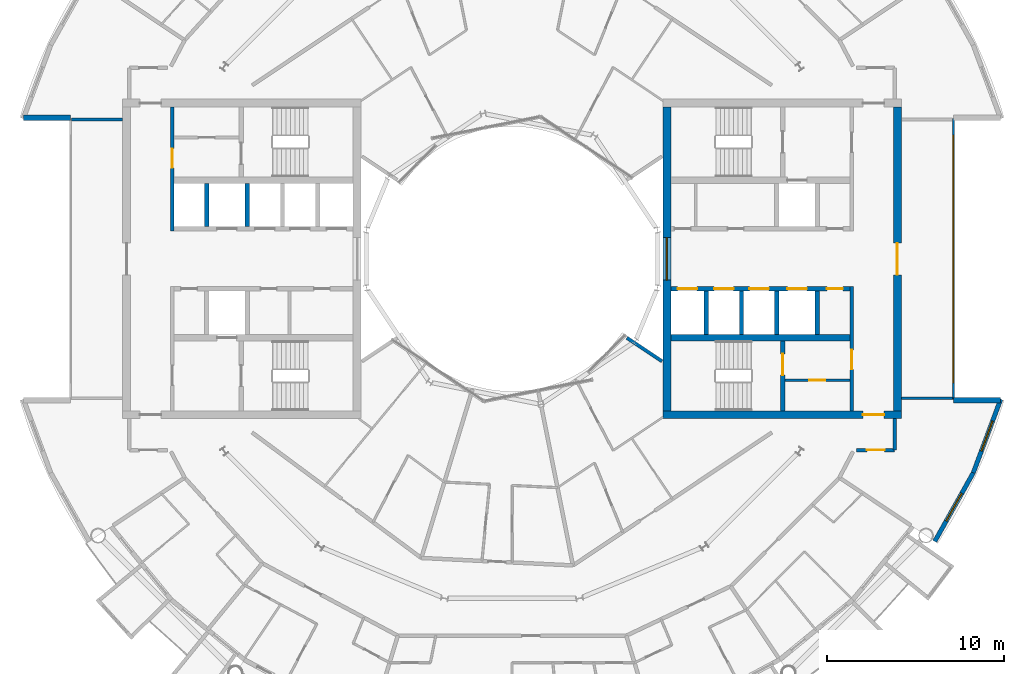
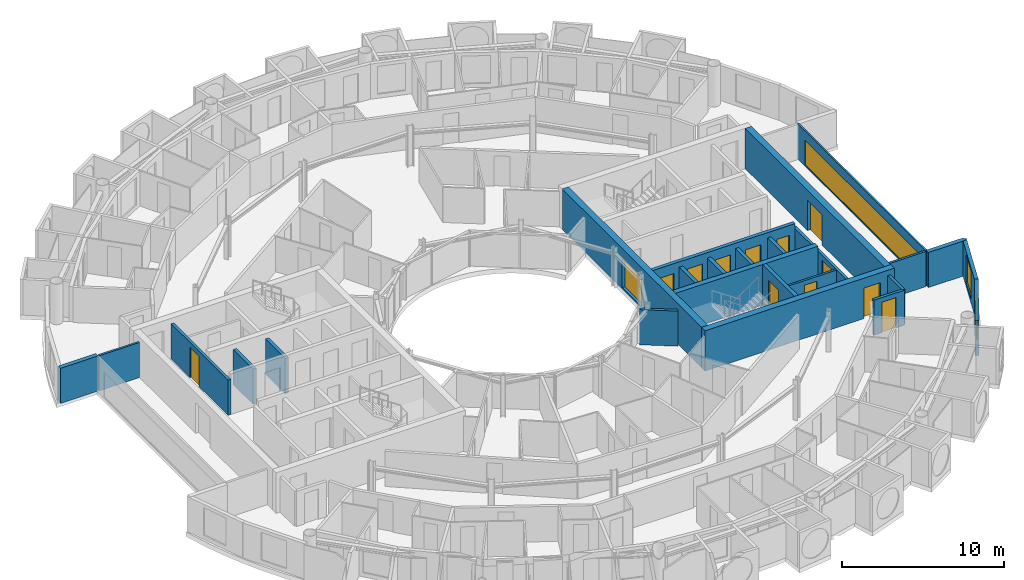
# One storey, part 19 of 28: 25 walls, 12 doors, 4 windows, 16 openings.
"""IFC4 building model written with IfcOpenShell, lengths in metres."""

import ifcopenshell
import ifcopenshell.guid

model = None  # the IFC model being written
_history = None  # IfcOwnerHistory: only IFC2X3 demands one
_inside = {}  # id of a spatial element -> (the spatial element, [elements in it])
_under = {}  # id of a project, library or spatial element -> (it, [spatial elements below it])
_declared = {}  # id of a project -> (the project, [libraries it declares])
_typed = {}  # id of a type object -> (the type object, [elements of that type])
_made_of = {}  # id of a material, layer set ... -> (it, [elements and type objects made of it])


def new_model(schema):
    """Start an empty IFC model of exactly this schema.

    Asked for "IFC4X3", IfcOpenShell would pick the latest addendum, in which some entities
    have other attributes; the version numbers below select the first issue.
    IFC2X3 requires an IfcOwnerHistory on every rooted entity: one is made here for all.
    """
    global model, _history
    if schema == "IFC4X3":
        model = ifcopenshell.file(schema_version=(4, 3, 0, 0))
    else:
        model = ifcopenshell.file(schema=schema)
    _inside.clear()
    _under.clear()
    _declared.clear()
    _typed.clear()
    _made_of.clear()
    _history = None
    if model.schema == "IFC2X3":
        org = make("IfcOrganization", Name="unknown")
        user = make(
            "IfcPersonAndOrganization",
            ThePerson=make("IfcPerson", FamilyName="unknown"),
            TheOrganization=org,
        )
        app = make(
            "IfcApplication",
            ApplicationDeveloper=org,
            Version="unknown",
            ApplicationFullName="unknown",
            ApplicationIdentifier="unknown",
        )
        _history = make(
            "IfcOwnerHistory",
            OwningUser=user,
            OwningApplication=app,
            ChangeAction="ADDED",
            CreationDate=0,
        )
    return model


def make(cls, **values):
    """One entity of the class cls with the attributes given. An attribute that is None is left unset."""
    return model.create_entity(
        cls, **{name: value for name, value in values.items() if value is not None}
    )


def rooted(cls, **values):
    """An entity with a GlobalId (a new one), such as an element, a storey or a relation."""
    return make(cls, GlobalId=ifcopenshell.guid.new(), OwnerHistory=_history, **values)


def si_unit(unit_type, name, prefix=None):
    """IfcSIUnit, for example si_unit("LENGTHUNIT", "METRE", prefix="MILLI")."""
    return make("IfcSIUnit", UnitType=unit_type, Prefix=prefix, Name=name)


def assignment(units):
    """IfcUnitAssignment: the units of a project."""
    return None if units is None else make("IfcUnitAssignment", Units=units)


def point(xyz):
    """IfcCartesianPoint."""
    return None if xyz is None else make("IfcCartesianPoint", Coordinates=xyz)


def direction(xyz):
    """IfcDirection."""
    return None if xyz is None else make("IfcDirection", DirectionRatios=xyz)


def frame(location, z_axis=None, x_axis=None):
    """IfcAxis2Placement3D, a coordinate frame: its origin and axes. An axis left out is left unset."""
    return make(
        "IfcAxis2Placement3D",
        Location=point(location),
        Axis=direction(z_axis),
        RefDirection=direction(x_axis),
    )


def frame_2d(location, x_axis=None):
    """IfcAxis2Placement2D, a coordinate frame in the plane: its origin and x axis."""
    return make(
        "IfcAxis2Placement2D", Location=point(location), RefDirection=direction(x_axis)
    )


def origin():
    """The frame at (0, 0, 0) with its axes left unset."""
    return frame((0.0, 0.0, 0.0))


def place(relative_to, where):
    """IfcLocalPlacement: puts the frame where relative to a parent placement (None: the world)."""
    return make(
        "IfcLocalPlacement", PlacementRelTo=relative_to, RelativePlacement=where
    )


def context(
    kind, dimensions, precision=None, world=None, true_north=None, identifier=None
):
    """IfcGeometricRepresentationContext, for example the 3D "Model" context."""
    return make(
        "IfcGeometricRepresentationContext",
        ContextIdentifier=identifier,
        ContextType=kind,
        CoordinateSpaceDimension=dimensions,
        Precision=precision,
        WorldCoordinateSystem=world,
        TrueNorth=true_north,
    )


def subcontext(parent, identifier, kind, view, scale=None):
    """IfcGeometricRepresentationSubContext, for example "Body" below "Model"."""
    return make(
        "IfcGeometricRepresentationSubContext",
        ContextIdentifier=identifier,
        ContextType=kind,
        ParentContext=parent,
        TargetScale=scale,
        TargetView=view,
    )


def project(units=None, contexts=None):
    """IfcProject with its units and contexts."""
    return rooted(
        "IfcProject",
        Name="project",
        RepresentationContexts=contexts,
        UnitsInContext=assignment(units),
    )


def spatial(cls, under=None, at=None, **own):
    """A site, building, storey or space (cls), placed at a placement, below another one or the project."""
    s = rooted(cls, ObjectPlacement=at, **own)
    if under is not None:
        _under.setdefault(under.id(), (under, []))[1].append(s)
    return s


def profile(cls, at=None, kind="AREA", **sizes):
    """A parametric profile (cls). Its sizes go by their IFC names, for example OverallWidth=200.0."""
    return make(cls, ProfileType=kind, Position=at, **sizes)


def rectangle(**sizes):
    """IfcRectangleProfileDef."""
    return profile("IfcRectangleProfileDef", **sizes)


def extrude(swept, where, along, depth):
    """IfcExtrudedAreaSolid: the profile swept, set in the frame where, extruded along a direction by depth."""
    return make(
        "IfcExtrudedAreaSolid",
        SweptArea=swept,
        Position=where,
        ExtrudedDirection=direction(along),
        Depth=depth,
    )


def shape(context_of_items, identifier, shape_type, items):
    """IfcShapeRepresentation: the items that make up one representation, for example the "Body"."""
    return make(
        "IfcShapeRepresentation",
        ContextOfItems=context_of_items,
        RepresentationIdentifier=identifier,
        RepresentationType=shape_type,
        Items=items,
    )


def material(Name=None, Category=None):
    """IfcMaterial."""
    return make("IfcMaterial", Name=Name, Category=Category)


def layer(
    of_material, thickness, ventilated=None, Name=None, Category=None, Priority=None
):
    """IfcMaterialLayer: one layer of a wall or slab, of a material (None: an air gap)."""
    return make(
        "IfcMaterialLayer",
        Material=of_material,
        LayerThickness=thickness,
        IsVentilated=ventilated,
        Name=Name,
        Category=Category,
        Priority=Priority,
    )


def layer_set(layers, Name=None):
    """IfcMaterialLayerSet."""
    return make("IfcMaterialLayerSet", MaterialLayers=layers, LayerSetName=Name)


def made_of(thing, what):
    """Note that an element or type object is made of a material, layer set ...; save() writes the relation."""
    if what is not None:
        _made_of.setdefault(what.id(), (what, []))[1].append(thing)
    return thing


def type_object(cls, material=None, **own):
    """A type object (cls), such as IfcWallType, which elements share."""
    return made_of(rooted(cls, **own), material)


def element(
    cls,
    number,
    at=None,
    inside=None,
    cuts=None,
    type_object=None,
    material=None,
    context=None,
    identifier="Body",
    shape_type=None,
    held_by="IfcProductDefinitionShape",
    body=None,
    shapes=None,
    **own,
):
    """One element of the class cls, such as IfcWall. Its Tag is "e" and its number.

    at: its placement. inside: the storey or other place that contains it. cuts: it is an
    opening in that element (IfcRelVoidsElement). A single representation is given by context,
    identifier, shape_type and body (its items); several are given by shapes. held_by: the class
    of the entity that holds the representations. save() writes the other relations.
    """
    e = rooted(cls, Tag="e%d" % number, ObjectPlacement=at, **own)
    if body is not None:
        shapes = [shape(context, identifier, shape_type, body)]
    if shapes is not None:
        e.Representation = make(held_by, Representations=shapes)
    if inside is not None:
        _inside.setdefault(inside.id(), (inside, []))[1].append(e)
    if cuts is not None:
        rooted(
            "IfcRelVoidsElement", RelatingBuildingElement=cuts, RelatedOpeningElement=e
        )
    if type_object is not None:
        _typed.setdefault(type_object.id(), (type_object, []))[1].append(e)
    return made_of(e, material)


def fill(opening, filler):
    """IfcRelFillsElement: the door or window that sits in an opening."""
    return rooted(
        "IfcRelFillsElement",
        RelatingOpeningElement=opening,
        RelatedBuildingElement=filler,
    )


def aggregate(whole, parts):
    """IfcRelAggregates: a whole, such as a stair, and the parts it consists of."""
    return rooted("IfcRelAggregates", RelatingObject=whole, RelatedObjects=parts)


def save(model, path):
    """Write the relations noted so far, then the file.

    IfcRelAggregates (storeys below a building ...), IfcRelContainedInSpatialStructure (elements
    in a storey), IfcRelDefinesByType, IfcRelAssociatesMaterial and IfcRelDeclares: one each for
    every whole, place, type object, material and project.
    """
    for whole, parts in _under.values():
        aggregate(whole, parts)
    for where, things in _inside.values():
        rooted(
            "IfcRelContainedInSpatialStructure",
            RelatedElements=things,
            RelatingStructure=where,
        )
    for kind, things in _typed.values():
        rooted("IfcRelDefinesByType", RelatedObjects=things, RelatingType=kind)
    for what, things in _made_of.values():
        rooted("IfcRelAssociatesMaterial", RelatedObjects=things, RelatingMaterial=what)
    for by, libraries in _declared.values():
        rooted("IfcRelDeclares", RelatingContext=by, RelatedDefinitions=libraries)
    model.write(path)


model = new_model("IFC4")

# Units and contexts
model_context = context("Model", 3, precision=1e-05, world=origin(), true_north=direction((0.0, 1.0)))
body_context = subcontext(model_context, "Body", "Model", "MODEL_VIEW")
ifc_project = project(units=[si_unit("LENGTHUNIT", "METRE"), si_unit("AREAUNIT", "SQUARE_METRE"), si_unit("VOLUMEUNIT", "CUBIC_METRE"), si_unit("PLANEANGLEUNIT", "RADIAN"), si_unit("MASSUNIT", "GRAM", prefix="KILO")], contexts=[model_context])

# Site, building, storey
site_placement = place(None, origin())
site = spatial("IfcSite", under=ifc_project, at=site_placement, CompositionType="ELEMENT")
building_placement = place(site_placement, origin())
building = spatial("IfcBuilding", under=site, at=building_placement, Name="Maasbend Ring Residences", CompositionType="ELEMENT")
storey_placement = place(building_placement, frame((0.0, 0.0, 218.800048828125)))
storey = spatial("IfcBuildingStorey", under=building, at=storey_placement, Name="L63", CompositionType="ELEMENT", Elevation=218.800048828125)

# Wall, openings, doors
ifc_material_1 = material(Name="Concrete C50/60", Category="concrete")
ifc_layer_1 = layer(ifc_material_1, 0.25)
ifc_layer_set_1 = layer_set([ifc_layer_1], Name="Concrete C50/60")
wall_type_1 = type_object("IfcWallType", Name="CORE WALL 250 C50/60", PredefinedType="SHEAR", material=ifc_layer_set_1)
wall_1_placement = place(storey_placement, frame((19.14990234375, -1.699951171875, 0.0), z_axis=(0.0, 0.0, 1.0), x_axis=(-1.0, 0.0, 0.0)))
wall_1 = element("IfcWall", 1, at=wall_1_placement, inside=storey, type_object=wall_type_1, Name="L63 core E wall SPS", PredefinedType="SHEAR", context=body_context, shape_type="SweptSolid", body=[
    extrude(rectangle(XDim=10.14990234375, YDim=0.25, at=frame_2d((5.074951171875, 0.0))), origin(), (0.0, 0.0, 1.0), 3.050048828125),
])
opening_1_placement = place(wall_1_placement, frame((8.66259765625, 0.0, 0.0)))
opening_1 = element("IfcOpeningElement", 2, at=opening_1_placement, cuts=wall_1, Name="Opening LD-E6302", PredefinedType="OPENING", context=body_context, shape_type="SweptSolid", body=[
    extrude(rectangle(XDim=1.10009765625, YDim=2.300048828125, at=frame_2d((0.550048828125, 1.14990234375))), frame((0.0, 0.135009765625, 0.0), z_axis=(0.0, -1.0, 0.0), x_axis=(1.0, 0.0, 0.0)), (0.0, 0.0, 1.0), 0.27001953125),
])
opening_2_placement = place(wall_1_placement, frame((6.60009765625, 0.0, 0.0)))
opening_2 = element("IfcOpeningElement", 3, at=opening_2_placement, cuts=wall_1, Name="Opening LD-E6303", PredefinedType="OPENING", context=body_context, shape_type="SweptSolid", body=[
    extrude(rectangle(XDim=1.10009765625, YDim=2.300048828125, at=frame_2d((0.550048828125, 1.14990234375))), frame((0.0, 0.135009765625, 0.0), z_axis=(0.0, -1.0, 0.0), x_axis=(1.0, 0.0, 0.0)), (0.0, 0.0, 1.0), 0.27001953125),
])
opening_3_placement = place(wall_1_placement, frame((4.60009765625, 0.0, 0.0)))
opening_3 = element("IfcOpeningElement", 4, at=opening_3_placement, cuts=wall_1, Name="Opening LD-E6304", PredefinedType="OPENING", context=body_context, shape_type="SweptSolid", body=[
    extrude(rectangle(XDim=1.10009765625, YDim=2.300048828125, at=frame_2d((0.550048828125, 1.14990234375))), frame((0.0, 0.135009765625, 0.0), z_axis=(0.0, -1.0, 0.0), x_axis=(1.0, 0.0, 0.0)), (0.0, 0.0, 1.0), 0.27001953125),
])
opening_4_placement = place(wall_1_placement, frame((2.449951171875, 0.0, 0.0)))
opening_4 = element("IfcOpeningElement", 5, at=opening_4_placement, cuts=wall_1, Name="Opening LD-E6305", PredefinedType="OPENING", context=body_context, shape_type="SweptSolid", body=[
    extrude(rectangle(XDim=1.10009765625, YDim=2.300048828125, at=frame_2d((0.550048828125, 1.14990234375))), frame((0.0, 0.135009765625, 0.0), z_axis=(0.0, -1.0, 0.0), x_axis=(1.0, 0.0, 0.0)), (0.0, 0.0, 1.0), 0.27001953125),
])
opening_5_placement = place(wall_1_placement, frame((0.41259765625, 0.0, 0.0)))
opening_5 = element("IfcOpeningElement", 6, at=opening_5_placement, cuts=wall_1, Name="Opening D-E6309", PredefinedType="OPENING", context=body_context, shape_type="SweptSolid", body=[
    extrude(rectangle(XDim=0.89990234375, YDim=2.300048828125, at=frame_2d((0.449951171875, 1.14990234375))), frame((0.0, 0.135009765625, 0.0), z_axis=(0.0, -1.0, 0.0), x_axis=(1.0, 0.0, 0.0)), (0.0, 0.0, 1.0), 0.27001953125),
])
ifc_material_2 = material(Name="Stainless steel 316", Category="steel")
door_type_1 = type_object("IfcDoorType", Name="LANDING DOOR 1100 X 2300 FD60", OperationType="DOUBLE_DOOR_SLIDING", PredefinedType="DOOR", material=ifc_material_2)
door_1_placement = place(opening_1_placement, origin())
door_1 = element("IfcDoor", 7, at=door_1_placement, inside=storey, type_object=door_type_1, Name="Landing door HR-E1 L63", OperationType="DOUBLE_DOOR_SLIDING", OverallHeight=2.300048828125, OverallWidth=1.10009765625, PredefinedType="DOOR", context=body_context, shape_type="SweptSolid", body=[
    extrude(rectangle(XDim=1.10009765625, YDim=2.300048828125, at=frame_2d((0.550048828125, 1.14990234375))), frame((0.0, 0.02490234375, 0.0), z_axis=(0.0, -1.0, 0.0), x_axis=(1.0, 0.0, 0.0)), (0.0, 0.0, 1.0), 0.050048828125),
])
fill(opening_1, door_1)
door_2_placement = place(opening_2_placement, origin())
door_2 = element("IfcDoor", 8, at=door_2_placement, inside=storey, type_object=door_type_1, Name="Landing door HR-E2 L63", OperationType="DOUBLE_DOOR_SLIDING", OverallHeight=2.300048828125, OverallWidth=1.10009765625, PredefinedType="DOOR", context=body_context, shape_type="SweptSolid", body=[
    extrude(rectangle(XDim=1.10009765625, YDim=2.300048828125, at=frame_2d((0.550048828125, 1.14990234375))), frame((0.0, 0.02490234375, 0.0), z_axis=(0.0, -1.0, 0.0), x_axis=(1.0, 0.0, 0.0)), (0.0, 0.0, 1.0), 0.050048828125),
])
fill(opening_2, door_2)
door_3_placement = place(opening_3_placement, origin())
door_3 = element("IfcDoor", 9, at=door_3_placement, inside=storey, type_object=door_type_1, Name="Landing door HR-E3 L63", OperationType="DOUBLE_DOOR_SLIDING", OverallHeight=2.300048828125, OverallWidth=1.10009765625, PredefinedType="DOOR", context=body_context, shape_type="SweptSolid", body=[
    extrude(rectangle(XDim=1.10009765625, YDim=2.300048828125, at=frame_2d((0.550048828125, 1.14990234375))), frame((0.0, 0.02490234375, 0.0), z_axis=(0.0, -1.0, 0.0), x_axis=(1.0, 0.0, 0.0)), (0.0, 0.0, 1.0), 0.050048828125),
])
fill(opening_3, door_3)
door_4_placement = place(opening_4_placement, origin())
door_4 = element("IfcDoor", 10, at=door_4_placement, inside=storey, type_object=door_type_1, Name="Landing door SV-E L63", OperationType="DOUBLE_DOOR_SLIDING", OverallHeight=2.300048828125, OverallWidth=1.10009765625, PredefinedType="DOOR", context=body_context, shape_type="SweptSolid", body=[
    extrude(rectangle(XDim=1.10009765625, YDim=2.300048828125, at=frame_2d((0.550048828125, 1.14990234375))), frame((0.0, 0.02490234375, 0.0), z_axis=(0.0, -1.0, 0.0), x_axis=(1.0, 0.0, 0.0)), (0.0, 0.0, 1.0), 0.050048828125),
])
fill(opening_4, door_4)
ifc_material_3 = material(Name="Steel, powder coated", Category="steel")
door_type_2 = type_object("IfcDoorType", Name="ROOM DOOR 900 X 2300 FD30S", OperationType="NOTDEFINED", PredefinedType="DOOR", material=ifc_material_3)
door_5_placement = place(opening_5_placement, origin())
door_5 = element("IfcDoor", 11, at=door_5_placement, inside=storey, type_object=door_type_2, Name="Room door L63", OperationType="SINGLE_SWING_RIGHT", OverallHeight=2.300048828125, OverallWidth=0.89990234375, PredefinedType="DOOR", context=body_context, shape_type="SweptSolid", body=[
    extrude(rectangle(XDim=0.89990234375, YDim=2.300048828125, at=frame_2d((0.449951171875, 1.14990234375))), frame((0.0, 0.02490234375, 0.0), z_axis=(0.0, -1.0, 0.0), x_axis=(1.0, 0.0, 0.0)), (0.0, 0.0, 1.0), 0.050048828125),
])
fill(opening_5, door_5)

# Wall, opening, door
wall_2_placement = place(storey_placement, frame((15.324951171875, -8.60009765625, 0.0), z_axis=(0.0, 0.0, 1.0), x_axis=(0.0, 1.0, 0.0)))
wall_2 = element("IfcWall", 12, at=wall_2_placement, inside=storey, type_object=wall_type_1, Name="L63 core E wall STES", PredefinedType="SHEAR", context=body_context, shape_type="SweptSolid", body=[
    extrude(rectangle(XDim=3.9501953125, YDim=0.25, at=frame_2d((1.97509765625, 0.0))), origin(), (0.0, 0.0, 1.0), 3.050048828125),
])
opening_6_placement = place(wall_2_placement, frame((2.02490234375, 0.0, 0.0)))
opening_6 = element("IfcOpeningElement", 13, at=opening_6_placement, cuts=wall_2, Name="Opening D-E6312", PredefinedType="OPENING", context=body_context, shape_type="SweptSolid", body=[
    extrude(rectangle(XDim=1.199951171875, YDim=2.300048828125, at=frame_2d((0.60009765625, 1.14990234375))), frame((0.0, 0.135009765625, 0.0), z_axis=(0.0, -1.0, 0.0), x_axis=(1.0, 0.0, 0.0)), (0.0, 0.0, 1.0), 0.27001953125),
])
ifc_material_4 = material(Name="Steel, powder coated", Category="steel")
door_type_3 = type_object("IfcDoorType", Name="STAIR DOOR 1200 X 2300 FD60", OperationType="NOTDEFINED", PredefinedType="DOOR", material=ifc_material_4)
door_6_placement = place(opening_6_placement, origin())
door_6 = element("IfcDoor", 14, at=door_6_placement, inside=storey, type_object=door_type_3, Name="Stair door ST-E L63", OperationType="SINGLE_SWING_LEFT", OverallHeight=2.300048828125, OverallWidth=1.199951171875, PredefinedType="DOOR", context=body_context, shape_type="SweptSolid", body=[
    extrude(rectangle(XDim=1.199951171875, YDim=2.300048828125, at=frame_2d((0.60009765625, 1.14990234375))), frame((0.0, 0.02490234375, 0.0), z_axis=(0.0, -1.0, 0.0), x_axis=(1.0, 0.0, 0.0)), (0.0, 0.0, 1.0), 0.050048828125),
])
fill(opening_6, door_6)

# Wall
ifc_material_5 = material(Name="Concrete C50/60", Category="concrete")
ifc_layer_2 = layer(ifc_material_5, 0.375)
ifc_layer_set_2 = layer_set([ifc_layer_2], Name="Concrete C50/60")
wall_type_2 = type_object("IfcWallType", Name="CORE WALL 375 C50/60", PredefinedType="SHEAR", material=ifc_layer_set_2)
wall_3_placement = place(storey_placement, frame((9.0, -4.46240234375, 0.0), z_axis=(0.0, 0.0, 1.0), x_axis=(1.0, 0.0, 0.0)))
element("IfcWall", 15, at=wall_3_placement, inside=storey, type_object=wall_type_2, Name="L63 core E wall BS", PredefinedType="SHEAR", context=body_context, shape_type="SweptSolid", body=[
    extrude(rectangle(XDim=10.14990234375, YDim=0.375, at=frame_2d((5.074951171875, 0.0))), origin(), (0.0, 0.0, 1.0), 3.050048828125),
])

# Wall, opening, door
ifc_material_6 = material(Name="Concrete C50/60", Category="concrete")
ifc_layer_3 = layer(ifc_material_6, 0.449951171875)
ifc_layer_set_3 = layer_set([ifc_layer_3], Name="Concrete C50/60")
wall_type_3 = type_object("IfcWallType", Name="CORE WALL 450 C50/60", PredefinedType="SHEAR", material=ifc_layer_set_3)
wall_4_placement = place(storey_placement, frame((8.550048828125, -8.824951171875, 0.0), z_axis=(0.0, 0.0, 1.0), x_axis=(1.0, 0.0, 0.0)))
wall_4 = element("IfcWall", 16, at=wall_4_placement, inside=storey, type_object=wall_type_3, Name="L63 core E wall PS", PredefinedType="SHEAR", context=body_context, shape_type="SweptSolid", body=[
    extrude(rectangle(XDim=13.5, YDim=0.449951171875, at=frame_2d((6.75, 0.0))), origin(), (0.0, 0.0, 1.0), 3.050048828125),
])
opening_7_placement = place(wall_4_placement, frame((11.324951171875, 0.0, 0.0)))
opening_7 = element("IfcOpeningElement", 17, at=opening_7_placement, cuts=wall_4, Name="Opening D-E6316", PredefinedType="OPENING", context=body_context, shape_type="SweptSolid", body=[
    extrude(rectangle(XDim=1.199951171875, YDim=2.300048828125, at=frame_2d((0.60009765625, 1.14990234375))), frame((0.0, 0.23486328125, 0.0), z_axis=(0.0, -1.0, 0.0), x_axis=(1.0, 0.0, 0.0)), (0.0, 0.0, 1.0), 0.469970703125),
])
ifc_material_7 = material(Name="Steel, powder coated", Category="steel")
door_type_4 = type_object("IfcDoorType", Name="CORRIDOR DOOR 1200 X 2300 FD30S", OperationType="NOTDEFINED", PredefinedType="DOOR", material=ifc_material_7)
door_7_placement = place(opening_7_placement, origin())
door_7 = element("IfcDoor", 18, at=door_7_placement, inside=storey, type_object=door_type_4, Name="Corridor door L63", OperationType="SINGLE_SWING_LEFT", OverallHeight=2.300048828125, OverallWidth=1.199951171875, PredefinedType="DOOR", context=body_context, shape_type="SweptSolid", body=[
    extrude(rectangle(XDim=1.199951171875, YDim=2.300048828125, at=frame_2d((0.60009765625, 1.14990234375))), frame((0.0, 0.02490234375, 0.0), z_axis=(0.0, -1.0, 0.0), x_axis=(1.0, 0.0, 0.0)), (0.0, 0.0, 1.0), 0.050048828125),
])
fill(opening_7, door_7)

wall_5_placement = place(storey_placement, frame((21.824951171875, 8.60009765625, 0.0), z_axis=(0.0, 0.0, 1.0), x_axis=(0.0, -1.0, 0.0)))
wall_5 = element("IfcWall", 19, at=wall_5_placement, inside=storey, type_object=wall_type_3, Name="L63 core E wall POUT", PredefinedType="SHEAR", context=body_context, shape_type="SweptSolid", body=[
    extrude(rectangle(XDim=17.2001953125, YDim=0.449951171875, at=frame_2d((8.60009765625, 0.0))), origin(), (0.0, 0.0, 1.0), 3.050048828125),
])
opening_8_placement = place(wall_5_placement, frame((7.699951171875, 0.0, 0.0)))
opening_8 = element("IfcOpeningElement", 20, at=opening_8_placement, cuts=wall_5, Name="Opening D-E6317", PredefinedType="OPENING", context=body_context, shape_type="SweptSolid", body=[
    extrude(rectangle(XDim=1.800048828125, YDim=2.300048828125, at=frame_2d((0.89990234375, 1.14990234375))), frame((0.0, 0.23486328125, 0.0), z_axis=(0.0, -1.0, 0.0), x_axis=(1.0, 0.0, 0.0)), (0.0, 0.0, 1.0), 0.469970703125),
])
ifc_material_8 = material(Name="Aluminium frame, clear glass", Category="aluminium")
door_type_5 = type_object("IfcDoorType", Name="ENTRANCE DOOR 1800 X 2300 FD60", OperationType="NOTDEFINED", PredefinedType="DOOR", material=ifc_material_8)
door_8_placement = place(opening_8_placement, origin())
door_8 = element("IfcDoor", 21, at=door_8_placement, inside=storey, type_object=door_type_5, Name="Lobby glazed door L63", OperationType="SINGLE_SWING_LEFT", OverallHeight=2.300048828125, OverallWidth=1.800048828125, PredefinedType="DOOR", context=body_context, shape_type="SweptSolid", body=[
    extrude(rectangle(XDim=1.800048828125, YDim=2.300048828125, at=frame_2d((0.89990234375, 1.14990234375))), frame((0.0, 0.02490234375, 0.0), z_axis=(0.0, -1.0, 0.0), x_axis=(1.0, 0.0, 0.0)), (0.0, 0.0, 1.0), 0.050048828125),
])
fill(opening_8, door_8)

# Wall, opening, window
wall_6_placement = place(storey_placement, frame((8.77490234375, -8.60009765625, 0.0), z_axis=(0.0, 0.0, 1.0), x_axis=(0.0, 1.0, 0.0)))
wall_6 = element("IfcWall", 22, at=wall_6_placement, inside=storey, type_object=wall_type_3, Name="L63 core E wall PIN", PredefinedType="SHEAR", context=body_context, shape_type="SweptSolid", body=[
    extrude(rectangle(XDim=17.2001953125, YDim=0.449951171875, at=frame_2d((8.60009765625, 0.0))), origin(), (0.0, 0.0, 1.0), 3.050048828125),
])
opening_9_placement = place(wall_6_placement, frame((7.39990234375, 0.0, 0.10009765625)))
opening_9 = element("IfcOpeningElement", 23, at=opening_9_placement, cuts=wall_6, Name="Opening W-E6301", PredefinedType="OPENING", context=body_context, shape_type="SweptSolid", body=[
    extrude(rectangle(XDim=2.39990234375, YDim=2.199951171875, at=frame_2d((1.199951171875, 1.10009765625))), frame((0.0, 0.23486328125, 0.0), z_axis=(0.0, -1.0, 0.0), x_axis=(1.0, 0.0, 0.0)), (0.0, 0.0, 1.0), 0.469970703125),
])
ifc_material_9 = material(Name="Aluminium frame and clear glass", Category="aluminium")
window_type_1 = type_object("IfcWindowType", Name="FIXED WINDOW 2400 X 2200", PartitioningType="SINGLE_PANEL", PredefinedType="WINDOW", material=ifc_material_9)
window_1_placement = place(opening_9_placement, origin())
window_1 = element("IfcWindow", 24, at=window_1_placement, inside=storey, type_object=window_type_1, Name="Lobby window L63", OverallHeight=2.199951171875, OverallWidth=2.39990234375, PartitioningType="SINGLE_PANEL", PredefinedType="WINDOW", context=body_context, shape_type="SweptSolid", body=[
    extrude(rectangle(XDim=2.39990234375, YDim=2.199951171875, at=frame_2d((1.199951171875, 1.10009765625))), frame((0.0, 0.030029296875, 0.0), z_axis=(0.0, -1.0, 0.0), x_axis=(1.0, 0.0, 0.0)), (0.0, 0.0, 1.0), 0.06005859375),
])
fill(opening_9, window_1)

# Wall
ifc_material_10 = material(Name="Concrete C30/37", Category="concrete")
ifc_layer_4 = layer(ifc_material_10, 0.199951171875)
ifc_layer_set_4 = layer_set([ifc_layer_4], Name="Concrete C30/37")
wall_type_4 = type_object("IfcWallType", Name="CORRIDOR WALL 200 CONCRETE", PredefinedType="PARTITIONING", material=ifc_layer_set_4)
wall_7_placement = place(storey_placement, frame((21.675048828125, -10.824951171875, 0.0), z_axis=(0.0, 0.0, 1.0), x_axis=(0.0, 1.0, 0.0)))
element("IfcWall", 25, at=wall_7_placement, inside=storey, type_object=wall_type_4, Name="U-L63-w017", PredefinedType="PARTITIONING", context=body_context, shape_type="SweptSolid", body=[
    extrude(rectangle(XDim=1.77490234375, YDim=0.199951171875, at=frame_2d((0.887451171875, 0.0))), origin(), (0.0, 0.0, 1.0), 2.64990234375),
])

# Wall, opening, door
wall_8_placement = place(storey_placement, frame((19.52294921875, -10.824951171875, 0.0), z_axis=(0.0, 0.0, 1.0), x_axis=(1.0, 0.0, 0.0)))
wall_8 = element("IfcWall", 26, at=wall_8_placement, inside=storey, type_object=wall_type_4, Name="U-L63-w030", PredefinedType="PARTITIONING", context=body_context, shape_type="SweptSolid", body=[
    extrude(rectangle(XDim=2.152099609375, YDim=0.199951171875, at=frame_2d((1.076171875, 0.0))), origin(), (0.0, 0.0, 1.0), 2.64990234375),
])
opening_10_placement = place(wall_8_placement, frame((0.575927734375, 0.0, 0.0)))
opening_10 = element("IfcOpeningElement", 27, at=opening_10_placement, cuts=wall_8, Name="Opening D-6360", PredefinedType="OPENING", context=body_context, shape_type="SweptSolid", body=[
    extrude(rectangle(XDim=1.0, YDim=2.300048828125, at=frame_2d((0.5, 1.14990234375))), frame((0.0, 0.10986328125, 0.0), z_axis=(0.0, -1.0, 0.0), x_axis=(1.0, 0.0, 0.0)), (0.0, 0.0, 1.0), 0.219970703125),
])
ifc_material_11 = material(Name="Timber, painted", Category="wood")
door_type_6 = type_object("IfcDoorType", Name="ROOM DOOR 1000 X 2300", OperationType="NOTDEFINED", PredefinedType="DOOR", material=ifc_material_11)
door_9_placement = place(opening_10_placement, origin())
door_9 = element("IfcDoor", 28, at=door_9_placement, inside=storey, type_object=door_type_6, Name="D-6360", OperationType="SINGLE_SWING_LEFT", OverallHeight=2.300048828125, OverallWidth=1.0, PredefinedType="DOOR", context=body_context, shape_type="SweptSolid", body=[
    extrude(rectangle(XDim=1.0, YDim=2.300048828125, at=frame_2d((0.5, 1.14990234375))), frame((0.0, 0.02490234375, 0.0), z_axis=(0.0, -1.0, 0.0), x_axis=(1.0, 0.0, 0.0)), (0.0, 0.0, 1.0), 0.050048828125),
])
fill(opening_10, door_9)

# Wall, opening, window
ifc_material_12 = material(Name="Aluminium clad insulated panel", Category="aluminium")
ifc_layer_5 = layer(ifc_material_12, 0.25)
ifc_layer_set_5 = layer_set([ifc_layer_5], Name="EW-HORN")
wall_type_5 = type_object("IfcWallType", Name="EW-HORN", PredefinedType="SOLIDWALL", material=ifc_layer_set_5)
wall_9_placement = place(storey_placement, frame((23.946044921875, -16.0, 0.0), z_axis=(0.0, 0.0, 1.0), x_axis=(0.489696356642, 0.871893042919, 0.0)))
wall_9 = element("IfcWall", 29, at=wall_9_placement, inside=storey, type_object=wall_type_5, Name="Horn wall 2.1", PredefinedType="SOLIDWALL", context=body_context, shape_type="SweptSolid", body=[
    extrude(rectangle(XDim=4.45361328125, YDim=0.25, at=frame_2d((2.226806640625, 0.0))), origin(), (0.0, 0.0, 1.0), 2.64990234375),
])
opening_11_placement = place(wall_9_placement, frame((1.32666015625, 0.0, 0.300048828125)))
opening_11 = element("IfcOpeningElement", 30, at=opening_11_placement, cuts=wall_9, Name="Opening W-BX", PredefinedType="OPENING", context=body_context, shape_type="SweptSolid", body=[
    extrude(rectangle(XDim=1.800048828125, YDim=2.10009765625, at=frame_2d((0.89990234375, 1.050048828125))), frame((0.0, 0.135009765625, 0.0), z_axis=(0.0, -1.0, 0.0), x_axis=(1.0, 0.0, 0.0)), (0.0, 0.0, 1.0), 0.27001953125),
])
ifc_material_13 = material(Name="Aluminium and clear glass", Category="aluminium")
window_type_2 = type_object("IfcWindowType", Name="W-BX", PartitioningType="DOUBLE_PANEL_VERTICAL", PredefinedType="WINDOW", material=ifc_material_13)
window_2_placement = place(opening_11_placement, origin())
window_2 = element("IfcWindow", 31, at=window_2_placement, inside=storey, type_object=window_type_2, Name="Horn window 2.1", OverallHeight=2.10009765625, OverallWidth=1.800048828125, PartitioningType="SINGLE_PANEL", PredefinedType="WINDOW", context=body_context, shape_type="SweptSolid", body=[
    extrude(rectangle(XDim=1.800048828125, YDim=2.10009765625, at=frame_2d((0.89990234375, 1.050048828125))), frame((0.0, 0.030029296875, 0.0), z_axis=(0.0, -1.0, 0.0), x_axis=(1.0, 0.0, 0.0)), (0.0, 0.0, 1.0), 0.06005859375),
])
fill(opening_11, window_2)

wall_10_placement = place(storey_placement, frame((26.126953125, -12.116943359375, 0.0), z_axis=(0.0, 0.0, 1.0), x_axis=(0.349247811493, 0.937030397675, 0.0)))
wall_10 = element("IfcWall", 32, at=wall_10_placement, inside=storey, type_object=wall_type_5, Name="Horn wall 2.2", PredefinedType="SOLIDWALL", context=body_context, shape_type="SweptSolid", body=[
    extrude(rectangle(XDim=4.4521484375, YDim=0.25, at=frame_2d((2.22607421875, 0.0))), origin(), (0.0, 0.0, 1.0), 2.64990234375),
])
opening_12_placement = place(wall_10_placement, frame((1.32666015625, 0.0, 0.300048828125)))
opening_12 = element("IfcOpeningElement", 33, at=opening_12_placement, cuts=wall_10, Name="Opening W-BX", PredefinedType="OPENING", context=body_context, shape_type="SweptSolid", body=[
    extrude(rectangle(XDim=1.800048828125, YDim=2.10009765625, at=frame_2d((0.89990234375, 1.050048828125))), frame((0.0, 0.135009765625, 0.0), z_axis=(0.0, -1.0, 0.0), x_axis=(1.0, 0.0, 0.0)), (0.0, 0.0, 1.0), 0.27001953125),
])
window_3_placement = place(opening_12_placement, origin())
window_3 = element("IfcWindow", 34, at=window_3_placement, inside=storey, type_object=window_type_2, Name="Horn window 2.2", OverallHeight=2.10009765625, OverallWidth=1.800048828125, PartitioningType="SINGLE_PANEL", PredefinedType="WINDOW", context=body_context, shape_type="SweptSolid", body=[
    extrude(rectangle(XDim=1.800048828125, YDim=2.10009765625, at=frame_2d((0.89990234375, 1.050048828125))), frame((0.0, 0.030029296875, 0.0), z_axis=(0.0, -1.0, 0.0), x_axis=(1.0, 0.0, 0.0)), (0.0, 0.0, 1.0), 0.06005859375),
])
fill(opening_12, window_3)

# Walls
ifc_material_14 = material(Name="Aluminium clad insulated panel", Category="aluminium")
ifc_layer_6 = layer(ifc_material_14, 0.300048828125)
ifc_layer_set_6 = layer_set([ifc_layer_6], Name="EW-RET")
wall_type_6 = type_object("IfcWallType", Name="EW-RET", PredefinedType="SOLIDWALL", material=ifc_layer_set_6)
for number, where, z_axis, x_axis, name in (
    (35, (25.0, -8.0, 0.0), (0.0, 0.0, 1.0), (1.0, 0.0, 0.0), "Notch return wall east south"),
    (36, (-25.0, 8.0, 0.0), (0.0, 0.0, 1.0), (-1.0, 0.0, 0.0), "Notch return wall west north"),
):
    element("IfcWall", number, at=place(storey_placement, frame(where, z_axis=z_axis, x_axis=x_axis)), inside=storey, type_object=wall_type_6, Name=name, PredefinedType="SOLIDWALL", context=body_context, shape_type="SweptSolid", body=[
        extrude(rectangle(XDim=2.6669921875, YDim=0.300048828125, at=frame_2d((1.33349609375, 0.0))), origin(), (0.0, 0.0, 1.0), 2.64990234375),
    ])

# Wall, opening, window
ifc_material_15 = material(Name="Aluminium frame and clear glass", Category="aluminium")
ifc_layer_7 = layer(ifc_material_15, 0.1201171875)
ifc_layer_set_7 = layer_set([ifc_layer_7], Name="GLAZED SCREEN WALL 120 EI 60")
wall_type_7 = type_object("IfcWallType", Name="GLAZED SCREEN WALL 120 EI 60", PredefinedType="PARTITIONING", material=ifc_layer_set_7)
wall_11_placement = place(storey_placement, frame((25.0, -7.949951171875, 0.0), z_axis=(0.0, 0.0, 1.0), x_axis=(0.0, 1.0, 0.0)))
wall_11 = element("IfcWall", 37, at=wall_11_placement, inside=storey, type_object=wall_type_7, Name="L63 core E wall FACE", PredefinedType="PARTITIONING", context=body_context, shape_type="SweptSolid", body=[
    extrude(rectangle(XDim=15.89990234375, YDim=0.1201171875, at=frame_2d((7.949951171875, 0.0))), origin(), (0.0, 0.0, 1.0), 2.64990234375),
])
opening_13_placement = place(wall_11_placement, frame((0.949951171875, 0.0, 0.10009765625)))
opening_13 = element("IfcOpeningElement", 38, at=opening_13_placement, cuts=wall_11, Name="Opening W-E6302", PredefinedType="OPENING", context=body_context, shape_type="SweptSolid", body=[
    extrude(rectangle(XDim=14.0, YDim=1.85009765625, at=frame_2d((7.0, 0.925048828125))), frame((0.0, 0.070068359375, 0.0), z_axis=(0.0, -1.0, 0.0), x_axis=(1.0, 0.0, 0.0)), (0.0, 0.0, 1.0), 0.14013671875),
])
ifc_material_16 = material(Name="Aluminium frame and clear glass", Category="aluminium")
window_type_3 = type_object("IfcWindowType", Name="FIXED WINDOW 14000 X 1850", PartitioningType="SINGLE_PANEL", PredefinedType="WINDOW", material=ifc_material_16)
window_4_placement = place(opening_13_placement, origin())
window_4 = element("IfcWindow", 39, at=window_4_placement, inside=storey, type_object=window_type_3, Name="Lobby window L63", OverallHeight=1.85009765625, OverallWidth=14.0, PartitioningType="SINGLE_PANEL", PredefinedType="WINDOW", context=body_context, shape_type="SweptSolid", body=[
    extrude(rectangle(XDim=14.0, YDim=1.85009765625, at=frame_2d((7.0, 0.925048828125))), frame((0.0, 0.030029296875, 0.0), z_axis=(0.0, -1.0, 0.0), x_axis=(1.0, 0.0, 0.0)), (0.0, 0.0, 1.0), 0.06005859375),
])
fill(opening_13, window_4)

# Wall, opening, door
ifc_material_17 = material(Name="Gypsum board on steel studs", Category="steel")
ifc_layer_8 = layer(ifc_material_17, 0.14990234375)
ifc_layer_set_8 = layer_set([ifc_layer_8], Name="PARTITION 150 EI 60")
wall_type_8 = type_object("IfcWallType", Name="PARTITION 150 EI 60", PredefinedType="PARTITIONING", material=ifc_layer_set_8)
wall_12_placement = place(storey_placement, frame((15.449951171875, -6.875, 0.0), z_axis=(0.0, 0.0, 1.0), x_axis=(1.0, 0.0, 0.0)))
wall_12 = element("IfcWall", 40, at=wall_12_placement, inside=storey, type_object=wall_type_8, Name="L63 core E wall RHS", PredefinedType="PARTITIONING", context=body_context, shape_type="SweptSolid", body=[
    extrude(rectangle(XDim=3.699951171875, YDim=0.14990234375, at=frame_2d((1.85009765625, 0.0))), origin(), (0.0, 0.0, 1.0), 2.64990234375),
])
opening_14_placement = place(wall_12_placement, frame((1.39990234375, 0.0, 0.0)))
opening_14 = element("IfcOpeningElement", 41, at=opening_14_placement, cuts=wall_12, Name="Opening D-E6310", PredefinedType="OPENING", context=body_context, shape_type="SweptSolid", body=[
    extrude(rectangle(XDim=0.89990234375, YDim=2.300048828125, at=frame_2d((0.449951171875, 1.14990234375))), frame((0.0, 0.0849609375, 0.0), z_axis=(0.0, -1.0, 0.0), x_axis=(1.0, 0.0, 0.0)), (0.0, 0.0, 1.0), 0.169921875),
])
ifc_material_18 = material(Name="Steel, powder coated", Category="steel")
door_type_7 = type_object("IfcDoorType", Name="RISER DOOR 900 X 2300 FD60", OperationType="NOTDEFINED", PredefinedType="DOOR", material=ifc_material_18)
door_10_placement = place(opening_14_placement, origin())
door_10 = element("IfcDoor", 42, at=door_10_placement, inside=storey, type_object=door_type_7, Name="Riser door L63", OperationType="SINGLE_SWING_LEFT", OverallHeight=2.300048828125, OverallWidth=0.89990234375, PredefinedType="DOOR", context=body_context, shape_type="SweptSolid", body=[
    extrude(rectangle(XDim=0.89990234375, YDim=2.300048828125, at=frame_2d((0.449951171875, 1.14990234375))), frame((0.0, 0.02490234375, 0.0), z_axis=(0.0, -1.0, 0.0), x_axis=(1.0, 0.0, 0.0)), (0.0, 0.0, 1.0), 0.050048828125),
])
fill(opening_14, door_10)

# Walls
for number, where, z_axis, x_axis, name in (
    (43, (22.050048828125, -7.89990234375, 0.0), (0.0, 0.0, 1.0), (1.0, 0.0, 0.0), "L63 core E wall CITS"),
    (44, (-22.050048828125, 7.89990234375, 0.0), (0.0, 0.0, 1.0), (-1.0, 0.0, 0.0), "L63 core W wall CITS"),
):
    element("IfcWall", number, at=place(storey_placement, frame(where, z_axis=z_axis, x_axis=x_axis)), inside=storey, type_object=wall_type_8, Name=name, PredefinedType="PARTITIONING", context=body_context, shape_type="SweptSolid", body=[
        extrude(rectangle(XDim=2.889892578125, YDim=0.14990234375, at=frame_2d((1.44482421875, 0.0))), origin(), (0.0, 0.0, 1.0), 2.64990234375),
    ])
ifc_material_19 = material(Name="Concrete C30/37", Category="concrete")
ifc_layer_9 = layer(ifc_material_19, 0.199951171875)
ifc_layer_set_9 = layer_set([ifc_layer_9], Name="Concrete C30/37")
wall_type_9 = type_object("IfcWallType", Name="PARTY WALL 200 CONCRETE", PredefinedType="PARTITIONING", material=ifc_layer_set_9)
wall_13_placement = place(storey_placement, frame((6.512939453125, -4.471923828125, 0.0), z_axis=(0.0, 0.0, 1.0), x_axis=(0.831403409976, -0.555669299026, 0.0)))
element("IfcWall", 45, at=wall_13_placement, inside=storey, type_object=wall_type_9, Name="U-L63-w032", PredefinedType="PARTITIONING", context=body_context, shape_type="SweptSolid", body=[
    extrude(rectangle(XDim=2.382568359375, YDim=0.199951171875, at=frame_2d((1.19140625, 0.0))), origin(), (0.0, 0.0, 1.0), 2.64990234375),
])

# Wall, opening, door
ifc_material_20 = material(Name="Concrete C30/37", Category="concrete")
ifc_layer_10 = layer(ifc_material_20, 0.199951171875)
ifc_layer_set_10 = layer_set([ifc_layer_10], Name="Concrete C30/37")
wall_type_10 = type_object("IfcWallType", Name="SHAFT WALL 200 EI 120", PredefinedType="SOLIDWALL", material=ifc_layer_set_10)
wall_14_placement = place(storey_placement, frame((19.25, -8.60009765625, 0.0), z_axis=(0.0, 0.0, 1.0), x_axis=(0.0, 1.0, 0.0)))
wall_14 = element("IfcWall", 46, at=wall_14_placement, inside=storey, type_object=wall_type_10, Name="L63 core E wall ENDS", PredefinedType="SOLIDWALL", context=body_context, shape_type="SweptSolid", body=[
    extrude(rectangle(XDim=7.025146484375, YDim=0.199951171875, at=frame_2d((3.5126953125, 0.0))), origin(), (0.0, 0.0, 1.0), 2.64990234375),
])
opening_15_placement = place(wall_14_placement, frame((2.35009765625, 0.0, 0.0)))
opening_15 = element("IfcOpeningElement", 47, at=opening_15_placement, cuts=wall_14, Name="Opening D-E6314", PredefinedType="OPENING", context=body_context, shape_type="SweptSolid", body=[
    extrude(rectangle(XDim=1.10009765625, YDim=2.300048828125, at=frame_2d((0.550048828125, 1.14990234375))), frame((0.0, 0.10986328125, 0.0), z_axis=(0.0, -1.0, 0.0), x_axis=(1.0, 0.0, 0.0)), (0.0, 0.0, 1.0), 0.219970703125),
])
ifc_material_21 = material(Name="Steel, powder coated", Category="steel")
door_type_8 = type_object("IfcDoorType", Name="LOBBY DOOR 1100 X 2300 FD60", OperationType="NOTDEFINED", PredefinedType="DOOR", material=ifc_material_21)
door_11_placement = place(opening_15_placement, origin())
door_11 = element("IfcDoor", 48, at=door_11_placement, inside=storey, type_object=door_type_8, Name="Lobby door L63", OperationType="SINGLE_SWING_RIGHT", OverallHeight=2.300048828125, OverallWidth=1.10009765625, PredefinedType="DOOR", context=body_context, shape_type="SweptSolid", body=[
    extrude(rectangle(XDim=1.10009765625, YDim=2.300048828125, at=frame_2d((0.550048828125, 1.14990234375))), frame((0.0, 0.02490234375, 0.0), z_axis=(0.0, -1.0, 0.0), x_axis=(1.0, 0.0, 0.0)), (0.0, 0.0, 1.0), 0.050048828125),
])
fill(opening_15, door_11)

wall_15_placement = place(storey_placement, frame((-19.25, 8.60009765625, 0.0), z_axis=(0.0, 0.0, 1.0), x_axis=(0.0, -1.0, 0.0)))
wall_15 = element("IfcWall", 49, at=wall_15_placement, inside=storey, type_object=wall_type_10, Name="L63 core W wall ENDS", PredefinedType="SOLIDWALL", context=body_context, shape_type="SweptSolid", body=[
    extrude(rectangle(XDim=7.025146484375, YDim=0.199951171875, at=frame_2d((3.5126953125, 0.0))), origin(), (0.0, 0.0, 1.0), 2.64990234375),
])
opening_16_placement = place(wall_15_placement, frame((2.35009765625, 0.0, 0.0)))
opening_16 = element("IfcOpeningElement", 50, at=opening_16_placement, cuts=wall_15, Name="Opening D-W6313", PredefinedType="OPENING", context=body_context, shape_type="SweptSolid", body=[
    extrude(rectangle(XDim=1.10009765625, YDim=2.300048828125, at=frame_2d((0.550048828125, 1.14990234375))), frame((0.0, 0.10986328125, 0.0), z_axis=(0.0, -1.0, 0.0), x_axis=(1.0, 0.0, 0.0)), (0.0, 0.0, 1.0), 0.219970703125),
])
door_12_placement = place(opening_16_placement, origin())
door_12 = element("IfcDoor", 51, at=door_12_placement, inside=storey, type_object=door_type_8, Name="Lobby door L63", OperationType="SINGLE_SWING_RIGHT", OverallHeight=2.300048828125, OverallWidth=1.10009765625, PredefinedType="DOOR", context=body_context, shape_type="SweptSolid", body=[
    extrude(rectangle(XDim=1.10009765625, YDim=2.300048828125, at=frame_2d((0.550048828125, 1.14990234375))), frame((0.0, 0.02490234375, 0.0), z_axis=(0.0, -1.0, 0.0), x_axis=(1.0, 0.0, 0.0)), (0.0, 0.0, 1.0), 0.050048828125),
])
fill(opening_16, door_12)

# Walls
ifc_material_22 = material(Name="Concrete C30/37", Category="concrete")
ifc_layer_11 = layer(ifc_material_22, 0.25)
ifc_layer_set_11 = layer_set([ifc_layer_11], Name="Concrete C30/37")
wall_type_11 = type_object("IfcWallType", Name="SHAFT WALL 250 EI 120", PredefinedType="SOLIDWALL", material=ifc_layer_set_11)
for number, where, z_axis, x_axis, name in (
    (52, (15.0, -1.824951171875, 0.0), (0.0, 0.0, 1.0), (0.0, -1.0, 0.0), "L63 core E wall D150S"),
    (53, (17.300048828125, -1.824951171875, 0.0), (0.0, 0.0, 1.0), (0.0, -1.0, 0.0), "L63 core E wall D173S"),
    (54, (11.0, -1.824951171875, 0.0), (0.0, 0.0, 1.0), (0.0, -1.0, 0.0), "L63 core E wall D110S"),
    (55, (13.0, -1.824951171875, 0.0), (0.0, 0.0, 1.0), (0.0, -1.0, 0.0), "L63 core E wall D130S"),
    (56, (-15.0, 1.824951171875, 0.0), (0.0, 0.0, 1.0), (0.0, 1.0, 0.0), "L63 core W wall D150S"),
    (57, (-17.300048828125, 1.824951171875, 0.0), (0.0, 0.0, 1.0), (0.0, 1.0, 0.0), "L63 core W wall D173S"),
):
    element("IfcWall", number, at=place(storey_placement, frame(where, z_axis=z_axis, x_axis=x_axis)), inside=storey, type_object=wall_type_11, Name=name, PredefinedType="SOLIDWALL", context=body_context, shape_type="SweptSolid", body=[
        extrude(rectangle(XDim=2.449951171875, YDim=0.25, at=frame_2d((1.22509765625, 0.0))), origin(), (0.0, 0.0, 1.0), 2.64990234375),
    ])

save(model, "model.ifc")
